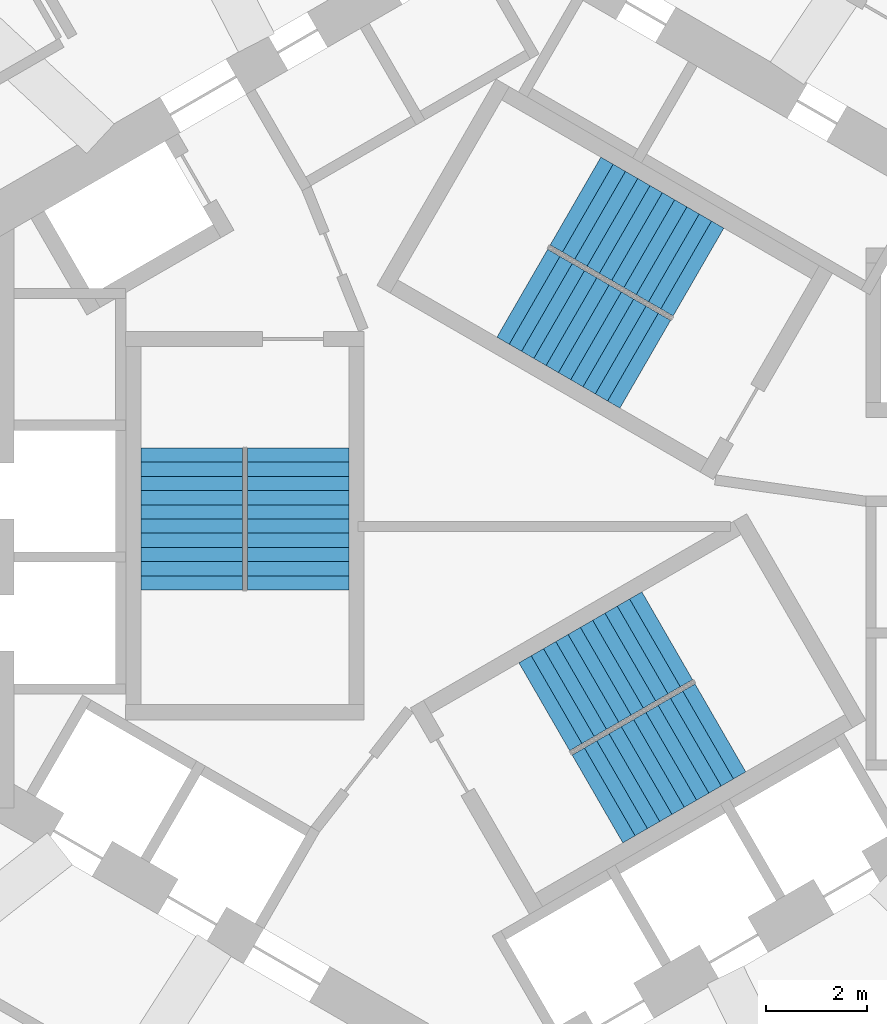
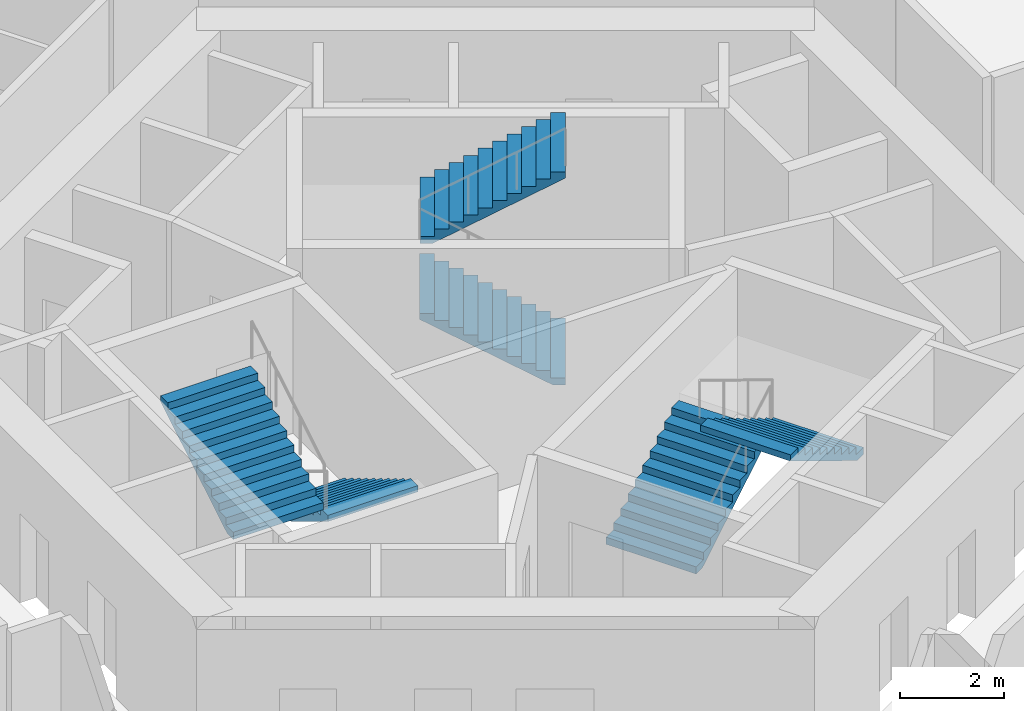
# One storey, part 9 of 11: 6 stair flights, 3 elements without a shape of their own.
"""IFC4 building model written with IfcOpenShell, lengths in metres."""

from ifc_helpers import new_model, si_unit, direction, frame, origin, place, context, subcontext, project, spatial, triangles, source, transform, mapped, material, type_object, element, aggregate, save


model = new_model("IFC4")

# Units and contexts
model_context = context("Model", 3, precision=1e-05, world=origin(), true_north=direction((0.0, 1.0)))
body_context = subcontext(model_context, "Body", "Model", "MODEL_VIEW")
ifc_project = project(units=[si_unit("LENGTHUNIT", "METRE"), si_unit("AREAUNIT", "SQUARE_METRE"), si_unit("VOLUMEUNIT", "CUBIC_METRE"), si_unit("PLANEANGLEUNIT", "RADIAN"), si_unit("MASSUNIT", "GRAM", prefix="KILO")], contexts=[model_context])

# Site, building, storey
site_placement = place(None, origin())
site = spatial("IfcSite", under=ifc_project, at=site_placement, CompositionType="ELEMENT")
building_placement = place(site_placement, origin())
building = spatial("IfcBuilding", under=site, at=building_placement, Name="Vanh Sen Convention Tower", CompositionType="ELEMENT")
storey_placement = place(building_placement, frame((0.0, 0.0, 247.60009765625)))
storey = spatial("IfcBuildingStorey", under=building, at=storey_placement, Name="L61", CompositionType="ELEMENT", Elevation=247.60009765625)

# Stair, stair flights
ifc_material_1 = material(Name="Concrete C50/60", Category="concrete")
stair_type_1 = type_object("IfcStairType", Name="Exit stair ST1 22 risers at 168.2", PredefinedType="HALF_TURN_STAIR", material=ifc_material_1)
stair_1_placement = place(storey_placement, origin())
stair_1 = element("IfcStair", 1, at=stair_1_placement, inside=storey, type_object=stair_type_1, Name="Exit stair ST1 L61", PredefinedType="HALF_TURN_STAIR")
ifc_material_2 = material(Name="Concrete C40/50", Category="concrete")
stair_flight_type = type_object("IfcStairFlightType", Name="Stair flight 2000", PredefinedType="STRAIGHT", material=ifc_material_2)
shared_shape = source(origin(), body_context, "Body", "Tessellation", [
    triangles([(0.24267578125, 1.0, 0.0), (0.0, 1.0, 0.0), (0.0, 1.0, 0.168212890625), (0.280029296875, 1.0, 0.168212890625), (0.280029296875, 1.0, 0.33642578125), (0.56005859375, 1.0, 0.33642578125), (0.56005859375, 1.0, 0.504638671875), (0.840087890625, 1.0, 0.504638671875), (0.840087890625, 1.0, 0.672607421875), (1.1201171875, 1.0, 0.672607421875), (1.1201171875, 1.0, 0.8408203125), (1.39990234375, 1.0, 0.8408203125), (1.39990234375, 1.0, 1.009033203125), (1.679931640625, 1.0, 1.009033203125), (1.679931640625, 1.0, 1.17724609375), (1.9599609375, 1.0, 1.17724609375), (1.9599609375, 1.0, 1.345458984375), (2.239990234375, 1.0, 1.345458984375), (2.239990234375, 1.0, 1.513671875), (2.52001953125, 1.0, 1.513671875), (2.52001953125, 1.0, 1.681884765625), (2.800048828125, 1.0, 1.681884765625), (2.800048828125, 1.0, 1.535888671875), (0.24267578125, -1.0, 0.0), (0.0, -1.0, 0.0), (0.0, -1.0, 0.168212890625), (0.280029296875, -1.0, 0.168212890625), (0.280029296875, -1.0, 0.33642578125), (0.56005859375, -1.0, 0.33642578125), (0.56005859375, -1.0, 0.504638671875), (0.840087890625, -1.0, 0.504638671875), (0.840087890625, -1.0, 0.672607421875), (1.1201171875, -1.0, 0.672607421875), (1.1201171875, -1.0, 0.8408203125), (1.39990234375, -1.0, 0.8408203125), (1.39990234375, -1.0, 1.009033203125), (1.679931640625, -1.0, 1.009033203125), (1.679931640625, -1.0, 1.17724609375), (1.9599609375, -1.0, 1.17724609375), (1.9599609375, -1.0, 1.345458984375), (2.239990234375, -1.0, 1.345458984375), (2.239990234375, -1.0, 1.513671875), (2.52001953125, -1.0, 1.513671875), (2.52001953125, -1.0, 1.681884765625), (2.800048828125, -1.0, 1.681884765625), (2.800048828125, -1.0, 1.535888671875), (0.0, 0.0400390625, 0.0), (0.0, 0.0390625, 0.0), (0.0, 0.0380859375, 0.0), (0.0, 0.037109375, 0.0), (0.0, 0.035888671875, 0.0), (0.0, 0.034912109375, 0.0), (0.0, 0.033935546875, 0.0), (0.0, 0.032958984375, 0.0), (0.0, 0.031982421875, 0.0), (0.0, 0.031005859375, 0.0), (0.0, 0.030029296875, 0.0), (0.0, 0.029052734375, 0.0), (0.0, 0.028076171875, 0.0), (0.0, 0.027099609375, 0.0), (0.0, 0.02587890625, 0.0), (0.0, 0.02490234375, 0.0), (0.0, 0.02392578125, 0.0), (0.0, 0.02294921875, 0.0), (0.0, 0.02197265625, 0.0), (0.0, 0.02099609375, 0.0), (0.0, 0.02001953125, 0.0), (0.0, 0.01904296875, 0.0), (0.0, 0.01806640625, 0.0), (0.0, 0.01708984375, 0.0), (0.0, 0.01611328125, 0.0), (0.0, 0.014892578125, 0.0), (0.0, 0.013916015625, 0.0), (0.0, 0.012939453125, 0.0), (0.0, 0.011962890625, 0.0), (0.0, 0.010986328125, 0.0), (0.0, 0.010009765625, 0.0), (0.0, 0.009033203125, 0.0), (0.0, 0.008056640625, 0.0), (0.0, 0.007080078125, 0.0), (0.0, 0.006103515625, 0.0), (0.0, 0.0048828125, 0.0), (0.0, 0.00390625, 0.0), (0.0, 0.0029296875, 0.0), (0.0, 0.001953125, 0.0), (0.0, 0.0009765625, 0.0), (0.0, 0.0, 0.0), (0.0, -0.0009765625, 0.0), (0.0, -0.001953125, 0.0), (0.0, -0.0029296875, 0.0), (0.0, -0.00390625, 0.0), (0.0, -0.0048828125, 0.0), (0.0, -0.006103515625, 0.0), (0.0, -0.007080078125, 0.0), (0.0, -0.008056640625, 0.0), (0.0, -0.009033203125, 0.0), (0.0, -0.010009765625, 0.0), (0.0, -0.010986328125, 0.0), (0.0, -0.011962890625, 0.0), (0.0, -0.012939453125, 0.0), (0.0, -0.013916015625, 0.0), (0.0, -0.014892578125, 0.0), (0.0, -0.01611328125, 0.0), (0.0, -0.01708984375, 0.0), (0.0, -0.01806640625, 0.0), (0.0, -0.01904296875, 0.0), (0.0, -0.02001953125, 0.0), (0.0, -0.02099609375, 0.0), (0.0, -0.02197265625, 0.0), (0.0, -0.02294921875, 0.0), (0.0, -0.02392578125, 0.0), (0.0, -0.02490234375, 0.0), (0.0, -0.02587890625, 0.0), (0.0, -0.027099609375, 0.0), (0.0, -0.028076171875, 0.0), (0.0, -0.029052734375, 0.0), (0.0, -0.030029296875, 0.0), (0.0, -0.031005859375, 0.0), (0.0, -0.031982421875, 0.0), (0.0, -0.032958984375, 0.0), (0.0, -0.033935546875, 0.0), (0.0, -0.034912109375, 0.0), (0.0, -0.035888671875, 0.0), (0.0, -0.037109375, 0.0), (0.0, -0.0380859375, 0.0), (0.0, -0.0390625, 0.0), (0.0, -0.0400390625, 0.0), (0.0, 0.0400390625, 0.168212890625), (0.0, 0.0390625, 0.168212890625), (0.0, 0.0380859375, 0.168212890625), (0.0, 0.037109375, 0.168212890625), (0.0, 0.035888671875, 0.168212890625), (0.0, 0.034912109375, 0.168212890625), (0.0, 0.033935546875, 0.168212890625), (0.0, 0.032958984375, 0.168212890625), (0.0, 0.031982421875, 0.168212890625), (0.0, 0.031005859375, 0.168212890625), (0.0, 0.030029296875, 0.168212890625), (0.0, 0.029052734375, 0.168212890625), (0.0, 0.028076171875, 0.168212890625), (0.0, 0.027099609375, 0.168212890625), (0.0, 0.02587890625, 0.168212890625), (0.0, 0.02490234375, 0.168212890625), (0.0, 0.02392578125, 0.168212890625), (0.0, 0.02294921875, 0.168212890625), (0.0, 0.02197265625, 0.168212890625), (0.0, 0.02099609375, 0.168212890625), (0.0, 0.02001953125, 0.168212890625), (0.0, 0.01904296875, 0.168212890625), (0.0, 0.01806640625, 0.168212890625), (0.0, 0.01708984375, 0.168212890625), (0.0, 0.01611328125, 0.168212890625), (0.0, 0.014892578125, 0.168212890625), (0.0, 0.013916015625, 0.168212890625), (0.0, 0.012939453125, 0.168212890625), (0.0, 0.011962890625, 0.168212890625), (0.0, 0.010986328125, 0.168212890625), (0.0, 0.010009765625, 0.168212890625), (0.0, 0.009033203125, 0.168212890625), (0.0, 0.008056640625, 0.168212890625), (0.0, 0.007080078125, 0.168212890625), (0.0, 0.006103515625, 0.168212890625), (0.0, 0.0048828125, 0.168212890625), (0.0, 0.00390625, 0.168212890625), (0.0, 0.0029296875, 0.168212890625), (0.0, 0.001953125, 0.168212890625), (0.0, 0.0009765625, 0.168212890625), (0.0, 0.0, 0.168212890625), (0.0, -0.0009765625, 0.168212890625), (0.0, -0.001953125, 0.168212890625), (0.0, -0.0029296875, 0.168212890625), (0.0, -0.00390625, 0.168212890625), (0.0, -0.0048828125, 0.168212890625), (0.0, -0.006103515625, 0.168212890625), (0.0, -0.007080078125, 0.168212890625), (0.0, -0.008056640625, 0.168212890625), (0.0, -0.009033203125, 0.168212890625), (0.0, -0.010009765625, 0.168212890625), (0.0, -0.010986328125, 0.168212890625), (0.0, -0.011962890625, 0.168212890625), (0.0, -0.012939453125, 0.168212890625), (0.0, -0.013916015625, 0.168212890625), (0.0, -0.014892578125, 0.168212890625), (0.0, -0.01611328125, 0.168212890625), (0.0, -0.01708984375, 0.168212890625), (0.0, -0.01806640625, 0.168212890625), (0.0, -0.01904296875, 0.168212890625), (0.0, -0.02001953125, 0.168212890625), (0.0, -0.02099609375, 0.168212890625), (0.0, -0.02197265625, 0.168212890625), (0.0, -0.02294921875, 0.168212890625), (0.0, -0.02392578125, 0.168212890625), (0.0, -0.02490234375, 0.168212890625), (0.0, -0.02587890625, 0.168212890625), (0.0, -0.027099609375, 0.168212890625), (0.0, -0.028076171875, 0.168212890625), (0.0, -0.029052734375, 0.168212890625), (0.0, -0.030029296875, 0.168212890625), (0.0, -0.031005859375, 0.168212890625), (0.0, -0.031982421875, 0.168212890625), (0.0, -0.032958984375, 0.168212890625), (0.0, -0.033935546875, 0.168212890625), (0.0, -0.034912109375, 0.168212890625), (0.0, -0.035888671875, 0.168212890625), (0.0, -0.037109375, 0.168212890625), (0.0, -0.0380859375, 0.168212890625), (0.0, -0.0390625, 0.168212890625), (0.0, -0.0400390625, 0.168212890625), (0.280029296875, 0.0, 0.168212890625), (0.280029296875, 0.0, 0.33642578125), (0.56005859375, 0.0, 0.33642578125), (0.56005859375, 0.0, 0.504638671875), (0.840087890625, 0.0, 0.504638671875), (0.840087890625, 0.0, 0.672607421875), (1.1201171875, 0.0, 0.672607421875), (1.1201171875, 0.0, 0.8408203125), (1.39990234375, 0.0, 0.8408203125), (1.39990234375, 0.0, 1.009033203125), (1.679931640625, 0.0, 1.009033203125), (1.679931640625, 0.0, 1.17724609375), (1.9599609375, 0.0, 1.17724609375), (1.9599609375, 0.0, 1.345458984375), (2.239990234375, 0.0, 1.345458984375), (2.239990234375, 0.0, 1.513671875), (2.52001953125, 0.0, 1.513671875), (2.52001953125, 0.0, 1.681884765625), (2.800048828125, 0.0400390625, 1.681884765625), (2.800048828125, 0.0390625, 1.681884765625), (2.800048828125, 0.0380859375, 1.681884765625), (2.800048828125, 0.037109375, 1.681884765625), (2.800048828125, 0.035888671875, 1.681884765625), (2.800048828125, 0.034912109375, 1.681884765625), (2.800048828125, 0.033935546875, 1.681884765625), (2.800048828125, 0.032958984375, 1.681884765625), (2.800048828125, 0.031982421875, 1.681884765625), (2.800048828125, 0.031005859375, 1.681884765625), (2.800048828125, 0.030029296875, 1.681884765625), (2.800048828125, 0.029052734375, 1.681884765625), (2.800048828125, 0.028076171875, 1.681884765625), (2.800048828125, 0.027099609375, 1.681884765625), (2.800048828125, 0.02587890625, 1.681884765625), (2.800048828125, 0.02490234375, 1.681884765625), (2.800048828125, 0.02392578125, 1.681884765625), (2.800048828125, 0.02294921875, 1.681884765625), (2.800048828125, 0.02197265625, 1.681884765625), (2.800048828125, 0.02099609375, 1.681884765625), (2.800048828125, 0.02001953125, 1.681884765625), (2.800048828125, 0.01904296875, 1.681884765625), (2.800048828125, 0.01806640625, 1.681884765625), (2.800048828125, 0.01708984375, 1.681884765625), (2.800048828125, 0.01611328125, 1.681884765625), (2.800048828125, 0.014892578125, 1.681884765625), (2.800048828125, 0.013916015625, 1.681884765625), (2.800048828125, 0.012939453125, 1.681884765625), (2.800048828125, 0.011962890625, 1.681884765625), (2.800048828125, 0.010986328125, 1.681884765625), (2.800048828125, 0.010009765625, 1.681884765625), (2.800048828125, 0.009033203125, 1.681884765625), (2.800048828125, 0.008056640625, 1.681884765625), (2.800048828125, 0.007080078125, 1.681884765625), (2.800048828125, 0.006103515625, 1.681884765625), (2.800048828125, 0.0048828125, 1.681884765625), (2.800048828125, 0.00390625, 1.681884765625), (2.800048828125, 0.0029296875, 1.681884765625), (2.800048828125, 0.001953125, 1.681884765625), (2.800048828125, 0.0009765625, 1.681884765625), (2.800048828125, 0.0, 1.681884765625), (2.800048828125, -0.0009765625, 1.681884765625), (2.800048828125, -0.001953125, 1.681884765625), (2.800048828125, -0.0029296875, 1.681884765625), (2.800048828125, -0.00390625, 1.681884765625), (2.800048828125, -0.0048828125, 1.681884765625), (2.800048828125, -0.006103515625, 1.681884765625), (2.800048828125, -0.007080078125, 1.681884765625), (2.800048828125, -0.008056640625, 1.681884765625), (2.800048828125, -0.009033203125, 1.681884765625), (2.800048828125, -0.010009765625, 1.681884765625), (2.800048828125, -0.010986328125, 1.681884765625), (2.800048828125, -0.011962890625, 1.681884765625), (2.800048828125, -0.012939453125, 1.681884765625), (2.800048828125, -0.013916015625, 1.681884765625), (2.800048828125, -0.014892578125, 1.681884765625), (2.800048828125, -0.01611328125, 1.681884765625), (2.800048828125, -0.01708984375, 1.681884765625), (2.800048828125, -0.01806640625, 1.681884765625), (2.800048828125, -0.01904296875, 1.681884765625), (2.800048828125, -0.02001953125, 1.681884765625), (2.800048828125, -0.02099609375, 1.681884765625), (2.800048828125, -0.02197265625, 1.681884765625), (2.800048828125, -0.02294921875, 1.681884765625), (2.800048828125, -0.02392578125, 1.681884765625), (2.800048828125, -0.02490234375, 1.681884765625), (2.800048828125, -0.02587890625, 1.681884765625), (2.800048828125, -0.027099609375, 1.681884765625), (2.800048828125, -0.028076171875, 1.681884765625), (2.800048828125, -0.029052734375, 1.681884765625), (2.800048828125, -0.030029296875, 1.681884765625), (2.800048828125, -0.031005859375, 1.681884765625), (2.800048828125, -0.031982421875, 1.681884765625), (2.800048828125, -0.032958984375, 1.681884765625), (2.800048828125, -0.033935546875, 1.681884765625), (2.800048828125, -0.034912109375, 1.681884765625), (2.800048828125, -0.035888671875, 1.681884765625), (2.800048828125, -0.037109375, 1.681884765625), (2.800048828125, -0.0380859375, 1.681884765625), (2.800048828125, -0.0390625, 1.681884765625), (2.800048828125, -0.0400390625, 1.681884765625), (2.800048828125, 0.0400390625, 1.535888671875), (2.800048828125, 0.0390625, 1.535888671875), (2.800048828125, 0.0380859375, 1.535888671875), (2.800048828125, 0.037109375, 1.535888671875), (2.800048828125, 0.035888671875, 1.535888671875), (2.800048828125, 0.034912109375, 1.535888671875), (2.800048828125, 0.033935546875, 1.535888671875), (2.800048828125, 0.032958984375, 1.535888671875), (2.800048828125, 0.031982421875, 1.535888671875), (2.800048828125, 0.031005859375, 1.535888671875), (2.800048828125, 0.030029296875, 1.535888671875), (2.800048828125, 0.029052734375, 1.535888671875), (2.800048828125, 0.028076171875, 1.535888671875), (2.800048828125, 0.027099609375, 1.535888671875), (2.800048828125, 0.02587890625, 1.535888671875), (2.800048828125, 0.02490234375, 1.535888671875), (2.800048828125, 0.02392578125, 1.535888671875), (2.800048828125, 0.02294921875, 1.535888671875), (2.800048828125, 0.02197265625, 1.535888671875), (2.800048828125, 0.02099609375, 1.535888671875), (2.800048828125, 0.02001953125, 1.535888671875), (2.800048828125, 0.01904296875, 1.535888671875), (2.800048828125, 0.01806640625, 1.535888671875), (2.800048828125, 0.01708984375, 1.535888671875), (2.800048828125, 0.01611328125, 1.535888671875), (2.800048828125, 0.014892578125, 1.535888671875), (2.800048828125, 0.013916015625, 1.535888671875), (2.800048828125, 0.012939453125, 1.535888671875), (2.800048828125, 0.011962890625, 1.535888671875), (2.800048828125, 0.010986328125, 1.535888671875), (2.800048828125, 0.010009765625, 1.535888671875), (2.800048828125, 0.009033203125, 1.535888671875), (2.800048828125, 0.008056640625, 1.535888671875), (2.800048828125, 0.007080078125, 1.535888671875), (2.800048828125, 0.006103515625, 1.535888671875), (2.800048828125, 0.0048828125, 1.535888671875), (2.800048828125, 0.00390625, 1.535888671875), (2.800048828125, 0.0029296875, 1.535888671875), (2.800048828125, 0.001953125, 1.535888671875), (2.800048828125, 0.0009765625, 1.535888671875), (2.800048828125, 0.0, 1.535888671875), (2.800048828125, -0.0009765625, 1.535888671875), (2.800048828125, -0.001953125, 1.535888671875), (2.800048828125, -0.0029296875, 1.535888671875), (2.800048828125, -0.00390625, 1.535888671875), (2.800048828125, -0.0048828125, 1.535888671875), (2.800048828125, -0.006103515625, 1.535888671875), (2.800048828125, -0.007080078125, 1.535888671875), (2.800048828125, -0.008056640625, 1.535888671875), (2.800048828125, -0.009033203125, 1.535888671875), (2.800048828125, -0.010009765625, 1.535888671875), (2.800048828125, -0.010986328125, 1.535888671875), (2.800048828125, -0.011962890625, 1.535888671875), (2.800048828125, -0.012939453125, 1.535888671875), (2.800048828125, -0.013916015625, 1.535888671875), (2.800048828125, -0.014892578125, 1.535888671875), (2.800048828125, -0.01611328125, 1.535888671875), (2.800048828125, -0.01708984375, 1.535888671875), (2.800048828125, -0.01806640625, 1.535888671875), (2.800048828125, -0.01904296875, 1.535888671875), (2.800048828125, -0.02001953125, 1.535888671875), (2.800048828125, -0.02099609375, 1.535888671875), (2.800048828125, -0.02197265625, 1.535888671875), (2.800048828125, -0.02294921875, 1.535888671875), (2.800048828125, -0.02392578125, 1.535888671875), (2.800048828125, -0.02490234375, 1.535888671875), (2.800048828125, -0.02587890625, 1.535888671875), (2.800048828125, -0.027099609375, 1.535888671875), (2.800048828125, -0.028076171875, 1.535888671875), (2.800048828125, -0.029052734375, 1.535888671875), (2.800048828125, -0.030029296875, 1.535888671875), (2.800048828125, -0.031005859375, 1.535888671875), (2.800048828125, -0.031982421875, 1.535888671875), (2.800048828125, -0.032958984375, 1.535888671875), (2.800048828125, -0.033935546875, 1.535888671875), (2.800048828125, -0.034912109375, 1.535888671875), (2.800048828125, -0.035888671875, 1.535888671875), (2.800048828125, -0.037109375, 1.535888671875), (2.800048828125, -0.0380859375, 1.535888671875), (2.800048828125, -0.0390625, 1.535888671875), (2.800048828125, -0.0400390625, 1.535888671875), (0.24267578125, 0.0, 0.0)], [[1, 2, 3], [1, 3, 4], [4, 5, 6], [1, 4, 6], [6, 7, 8], [1, 6, 8], [8, 9, 10], [1, 8, 10], [10, 11, 12], [1, 10, 12], [12, 13, 14], [1, 12, 14], [14, 15, 16], [1, 14, 16], [16, 17, 18], [1, 16, 18], [18, 19, 20], [1, 18, 20], [20, 21, 22], [1, 20, 22], [22, 23, 1], [24, 26, 25], [24, 27, 26], [27, 29, 28], [24, 29, 27], [29, 31, 30], [24, 31, 29], [31, 33, 32], [24, 33, 31], [33, 35, 34], [24, 35, 33], [35, 37, 36], [24, 37, 35], [37, 39, 38], [24, 39, 37], [39, 41, 40], [24, 41, 39], [41, 43, 42], [24, 43, 41], [43, 45, 44], [24, 45, 43], [45, 24, 46], [2, 128, 3], [2, 47, 128], [47, 129, 128], [47, 48, 129], [48, 130, 129], [48, 49, 130], [49, 131, 130], [49, 50, 131], [50, 132, 131], [50, 51, 132], [51, 133, 132], [51, 52, 133], [52, 134, 133], [52, 53, 134], [53, 135, 134], [53, 54, 135], [54, 136, 135], [54, 55, 136], [55, 137, 136], [55, 56, 137], [56, 138, 137], [56, 57, 138], [57, 139, 138], [57, 58, 139], [58, 140, 139], [58, 59, 140], [59, 141, 140], [59, 60, 141], [60, 142, 141], [60, 61, 142], [61, 143, 142], [61, 62, 143], [62, 144, 143], [62, 63, 144], [63, 145, 144], [63, 64, 145], [64, 146, 145], [64, 65, 146], [65, 147, 146], [65, 66, 147], [66, 148, 147], [66, 67, 148], [67, 149, 148], [67, 68, 149], [68, 150, 149], [68, 69, 150], [69, 151, 150], [69, 70, 151], [70, 152, 151], [70, 71, 152], [71, 153, 152], [71, 72, 153], [72, 154, 153], [72, 73, 154], [73, 155, 154], [73, 74, 155], [74, 156, 155], [74, 75, 156], [75, 157, 156], [75, 76, 157], [76, 158, 157], [76, 77, 158], [77, 159, 158], [77, 78, 159], [78, 160, 159], [78, 79, 160], [79, 161, 160], [79, 80, 161], [80, 162, 161], [80, 81, 162], [81, 163, 162], [81, 82, 163], [82, 164, 163], [82, 83, 164], [83, 165, 164], [83, 84, 165], [84, 166, 165], [84, 85, 166], [85, 167, 166], [85, 86, 167], [86, 168, 167], [86, 87, 168], [87, 88, 168], [168, 88, 169], [88, 89, 169], [169, 89, 170], [89, 90, 170], [170, 90, 171], [90, 91, 171], [171, 91, 172], [91, 92, 172], [172, 92, 173], [92, 93, 173], [173, 93, 174], [93, 94, 174], [174, 94, 175], [94, 95, 175], [175, 95, 176], [95, 96, 176], [176, 96, 177], [96, 97, 177], [177, 97, 178], [97, 98, 178], [178, 98, 179], [98, 99, 179], [179, 99, 180], [99, 100, 180], [180, 100, 181], [100, 101, 181], [181, 101, 182], [101, 102, 182], [182, 102, 183], [102, 103, 183], [183, 103, 184], [103, 104, 184], [184, 104, 185], [104, 105, 185], [185, 105, 186], [105, 106, 186], [186, 106, 187], [106, 107, 187], [187, 107, 188], [107, 108, 188], [188, 108, 189], [108, 109, 189], [189, 109, 190], [109, 110, 190], [190, 110, 191], [110, 111, 191], [191, 111, 192], [111, 112, 192], [192, 112, 193], [112, 113, 193], [193, 113, 194], [113, 114, 194], [194, 114, 195], [114, 115, 195], [195, 115, 196], [115, 116, 196], [196, 116, 197], [116, 117, 197], [197, 117, 198], [117, 118, 198], [198, 118, 199], [118, 119, 199], [199, 119, 200], [119, 120, 200], [200, 120, 201], [120, 121, 201], [201, 121, 202], [121, 122, 202], [202, 122, 203], [122, 123, 203], [203, 123, 204], [123, 124, 204], [204, 124, 205], [124, 125, 205], [205, 125, 206], [125, 126, 206], [206, 126, 207], [126, 127, 207], [207, 127, 208], [127, 25, 208], [208, 25, 26], [4, 3, 128], [4, 128, 129], [4, 129, 130], [4, 130, 131], [4, 131, 132], [4, 132, 133], [4, 133, 134], [4, 134, 135], [4, 135, 136], [4, 136, 137], [4, 137, 138], [4, 138, 139], [4, 139, 140], [4, 140, 141], [4, 141, 142], [4, 142, 143], [4, 143, 144], [4, 144, 145], [4, 145, 146], [4, 146, 147], [4, 147, 148], [4, 148, 149], [4, 149, 150], [4, 150, 151], [4, 151, 152], [4, 152, 153], [4, 153, 154], [4, 154, 155], [4, 155, 156], [4, 156, 157], [4, 157, 158], [4, 158, 159], [4, 159, 160], [4, 160, 161], [4, 161, 162], [4, 162, 163], [4, 163, 164], [4, 164, 165], [4, 165, 166], [4, 166, 167], [4, 167, 168], [27, 168, 169], [27, 169, 170], [27, 170, 171], [27, 171, 172], [27, 172, 173], [27, 173, 174], [27, 174, 175], [27, 175, 176], [27, 176, 177], [27, 177, 178], [27, 178, 179], [27, 179, 180], [27, 180, 181], [27, 181, 182], [27, 182, 183], [27, 183, 184], [27, 184, 185], [27, 185, 186], [27, 186, 187], [27, 187, 188], [27, 188, 189], [27, 189, 190], [27, 190, 191], [27, 191, 192], [27, 192, 193], [27, 193, 194], [27, 194, 195], [27, 195, 196], [27, 196, 197], [27, 197, 198], [27, 198, 199], [27, 199, 200], [27, 200, 201], [27, 201, 202], [27, 202, 203], [27, 203, 204], [27, 204, 205], [27, 205, 206], [27, 206, 207], [27, 207, 208], [27, 208, 26], [4, 168, 209], [27, 209, 168], [4, 210, 5], [4, 209, 210], [209, 27, 210], [210, 27, 28], [5, 211, 6], [5, 210, 211], [210, 28, 211], [211, 28, 29], [6, 212, 7], [6, 211, 212], [211, 29, 212], [212, 29, 30], [7, 213, 8], [7, 212, 213], [212, 30, 213], [213, 30, 31], [8, 214, 9], [8, 213, 214], [213, 31, 214], [214, 31, 32], [9, 215, 10], [9, 214, 215], [214, 32, 215], [215, 32, 33], [10, 216, 11], [10, 215, 216], [215, 33, 216], [216, 33, 34], [11, 217, 12], [11, 216, 217], [216, 34, 217], [217, 34, 35], [12, 218, 13], [12, 217, 218], [217, 35, 218], [218, 35, 36], [13, 219, 14], [13, 218, 219], [218, 36, 219], [219, 36, 37], [14, 220, 15], [14, 219, 220], [219, 37, 220], [220, 37, 38], [15, 221, 16], [15, 220, 221], [220, 38, 221], [221, 38, 39], [16, 222, 17], [16, 221, 222], [221, 39, 222], [222, 39, 40], [17, 223, 18], [17, 222, 223], [222, 40, 223], [223, 40, 41], [18, 224, 19], [18, 223, 224], [223, 41, 224], [224, 41, 42], [19, 225, 20], [19, 224, 225], [224, 42, 225], [225, 42, 43], [20, 226, 21], [20, 225, 226], [225, 43, 226], [226, 43, 44], [21, 227, 22], [21, 228, 227], [21, 229, 228], [21, 230, 229], [21, 231, 230], [21, 232, 231], [21, 233, 232], [21, 234, 233], [21, 235, 234], [21, 236, 235], [21, 237, 236], [21, 238, 237], [21, 239, 238], [21, 240, 239], [21, 241, 240], [21, 242, 241], [21, 243, 242], [21, 244, 243], [21, 245, 244], [21, 246, 245], [21, 247, 246], [21, 248, 247], [21, 249, 248], [21, 250, 249], [21, 251, 250], [21, 252, 251], [21, 253, 252], [21, 254, 253], [21, 255, 254], [21, 256, 255], [21, 257, 256], [21, 258, 257], [21, 259, 258], [21, 260, 259], [21, 261, 260], [21, 262, 261], [21, 263, 262], [21, 264, 263], [21, 265, 264], [21, 266, 265], [21, 267, 266], [44, 268, 267], [44, 269, 268], [44, 270, 269], [44, 271, 270], [44, 272, 271], [44, 273, 272], [44, 274, 273], [44, 275, 274], [44, 276, 275], [44, 277, 276], [44, 278, 277], [44, 279, 278], [44, 280, 279], [44, 281, 280], [44, 282, 281], [44, 283, 282], [44, 284, 283], [44, 285, 284], [44, 286, 285], [44, 287, 286], [44, 288, 287], [44, 289, 288], [44, 290, 289], [44, 291, 290], [44, 292, 291], [44, 293, 292], [44, 294, 293], [44, 295, 294], [44, 296, 295], [44, 297, 296], [44, 298, 297], [44, 299, 298], [44, 300, 299], [44, 301, 300], [44, 302, 301], [44, 303, 302], [44, 304, 303], [44, 305, 304], [44, 306, 305], [44, 307, 306], [44, 45, 307], [21, 226, 267], [44, 267, 226], [22, 308, 23], [22, 227, 308], [227, 309, 308], [227, 228, 309], [228, 310, 309], [228, 229, 310], [229, 311, 310], [229, 230, 311], [230, 312, 311], [230, 231, 312], [231, 313, 312], [231, 232, 313], [232, 314, 313], [232, 233, 314], [233, 315, 314], [233, 234, 315], [234, 316, 315], [234, 235, 316], [235, 317, 316], [235, 236, 317], [236, 318, 317], [236, 237, 318], [237, 319, 318], [237, 238, 319], [238, 320, 319], [238, 239, 320], [239, 321, 320], [239, 240, 321], [240, 322, 321], [240, 241, 322], [241, 323, 322], [241, 242, 323], [242, 324, 323], [242, 243, 324], [243, 325, 324], [243, 244, 325], [244, 326, 325], [244, 245, 326], [245, 327, 326], [245, 246, 327], [246, 328, 327], [246, 247, 328], [247, 329, 328], [247, 248, 329], [248, 330, 329], [248, 249, 330], [249, 331, 330], [249, 250, 331], [250, 332, 331], [250, 251, 332], [251, 333, 332], [251, 252, 333], [252, 334, 333], [252, 253, 334], [253, 335, 334], [253, 254, 335], [254, 336, 335], [254, 255, 336], [255, 337, 336], [255, 256, 337], [256, 338, 337], [256, 257, 338], [257, 339, 338], [257, 258, 339], [258, 340, 339], [258, 259, 340], [259, 341, 340], [259, 260, 341], [260, 342, 341], [260, 261, 342], [261, 343, 342], [261, 262, 343], [262, 344, 343], [262, 263, 344], [263, 345, 344], [263, 264, 345], [264, 346, 345], [264, 265, 346], [265, 347, 346], [265, 266, 347], [266, 348, 347], [266, 267, 348], [267, 268, 348], [348, 268, 349], [268, 269, 349], [349, 269, 350], [269, 270, 350], [350, 270, 351], [270, 271, 351], [351, 271, 352], [271, 272, 352], [352, 272, 353], [272, 273, 353], [353, 273, 354], [273, 274, 354], [354, 274, 355], [274, 275, 355], [355, 275, 356], [275, 276, 356], [356, 276, 357], [276, 277, 357], [357, 277, 358], [277, 278, 358], [358, 278, 359], [278, 279, 359], [359, 279, 360], [279, 280, 360], [360, 280, 361], [280, 281, 361], [361, 281, 362], [281, 282, 362], [362, 282, 363], [282, 283, 363], [363, 283, 364], [283, 284, 364], [364, 284, 365], [284, 285, 365], [365, 285, 366], [285, 286, 366], [366, 286, 367], [286, 287, 367], [367, 287, 368], [287, 288, 368], [368, 288, 369], [288, 289, 369], [369, 289, 370], [289, 290, 370], [370, 290, 371], [290, 291, 371], [371, 291, 372], [291, 292, 372], [372, 292, 373], [292, 293, 373], [373, 293, 374], [293, 294, 374], [374, 294, 375], [294, 295, 375], [375, 295, 376], [295, 296, 376], [376, 296, 377], [296, 297, 377], [377, 297, 378], [297, 298, 378], [378, 298, 379], [298, 299, 379], [379, 299, 380], [299, 300, 380], [380, 300, 381], [300, 301, 381], [381, 301, 382], [301, 302, 382], [382, 302, 383], [302, 303, 383], [383, 303, 384], [303, 304, 384], [384, 304, 385], [304, 305, 385], [385, 305, 386], [305, 306, 386], [386, 306, 387], [306, 307, 387], [387, 307, 388], [307, 45, 388], [388, 45, 46], [1, 23, 308], [1, 308, 309], [1, 309, 310], [1, 310, 311], [1, 311, 312], [1, 312, 313], [1, 313, 314], [1, 314, 315], [1, 315, 316], [1, 316, 317], [1, 317, 318], [1, 318, 319], [1, 319, 320], [1, 320, 321], [1, 321, 322], [1, 322, 323], [1, 323, 324], [1, 324, 325], [1, 325, 326], [1, 326, 327], [1, 327, 328], [1, 328, 329], [1, 329, 330], [1, 330, 331], [1, 331, 332], [1, 332, 333], [1, 333, 334], [1, 334, 335], [1, 335, 336], [1, 336, 337], [1, 337, 338], [1, 338, 339], [1, 339, 340], [1, 340, 341], [1, 341, 342], [1, 342, 343], [1, 343, 344], [1, 344, 345], [1, 345, 346], [1, 346, 347], [1, 347, 348], [24, 348, 349], [24, 349, 350], [24, 350, 351], [24, 351, 352], [24, 352, 353], [24, 353, 354], [24, 354, 355], [24, 355, 356], [24, 356, 357], [24, 357, 358], [24, 358, 359], [24, 359, 360], [24, 360, 361], [24, 361, 362], [24, 362, 363], [24, 363, 364], [24, 364, 365], [24, 365, 366], [24, 366, 367], [24, 367, 368], [24, 368, 369], [24, 369, 370], [24, 370, 371], [24, 371, 372], [24, 372, 373], [24, 373, 374], [24, 374, 375], [24, 375, 376], [24, 376, 377], [24, 377, 378], [24, 378, 379], [24, 379, 380], [24, 380, 381], [24, 381, 382], [24, 382, 383], [24, 383, 384], [24, 384, 385], [24, 385, 386], [24, 386, 387], [24, 387, 388], [24, 388, 46], [1, 348, 389], [24, 389, 348], [1, 47, 2], [1, 48, 47], [1, 49, 48], [1, 50, 49], [1, 51, 50], [1, 52, 51], [1, 53, 52], [1, 54, 53], [1, 55, 54], [1, 56, 55], [1, 57, 56], [1, 58, 57], [1, 59, 58], [1, 60, 59], [1, 61, 60], [1, 62, 61], [1, 63, 62], [1, 64, 63], [1, 65, 64], [1, 66, 65], [1, 67, 66], [1, 68, 67], [1, 69, 68], [1, 70, 69], [1, 71, 70], [1, 72, 71], [1, 73, 72], [1, 74, 73], [1, 75, 74], [1, 76, 75], [1, 77, 76], [1, 78, 77], [1, 79, 78], [1, 80, 79], [1, 81, 80], [1, 82, 81], [1, 83, 82], [1, 84, 83], [1, 85, 84], [1, 86, 85], [1, 87, 86], [24, 88, 87], [24, 89, 88], [24, 90, 89], [24, 91, 90], [24, 92, 91], [24, 93, 92], [24, 94, 93], [24, 95, 94], [24, 96, 95], [24, 97, 96], [24, 98, 97], [24, 99, 98], [24, 100, 99], [24, 101, 100], [24, 102, 101], [24, 103, 102], [24, 104, 103], [24, 105, 104], [24, 106, 105], [24, 107, 106], [24, 108, 107], [24, 109, 108], [24, 110, 109], [24, 111, 110], [24, 112, 111], [24, 113, 112], [24, 114, 113], [24, 115, 114], [24, 116, 115], [24, 117, 116], [24, 118, 117], [24, 119, 118], [24, 120, 119], [24, 121, 120], [24, 122, 121], [24, 123, 122], [24, 124, 123], [24, 125, 124], [24, 126, 125], [24, 127, 126], [24, 25, 127], [1, 389, 87], [24, 87, 389]], closed=True),
])
stair_flight_1_placement = place(storey_placement, frame((2.94580078125, 2.802490234375, 0.0), z_axis=(0.0, 0.0, 1.0), x_axis=(-0.866025403784, 0.5, 0.0)))
stair_flight_1 = element("IfcStairFlight", 2, at=stair_flight_1_placement, type_object=stair_flight_type, Name="ST1 flight 1", NumberOfRisers=11, NumberOfTreads=10, PredefinedType="STRAIGHT", RiserHeight=0.168181818, TreadLength=0.28, context=body_context, shape_type="MappedRepresentation", body=[
    mapped(shared_shape, transform((0.0, 0.0, 0.0))),
])
stair_flight_2_placement = place(storey_placement, frame((1.571044921875, 6.021240234375, 1.849853515625), z_axis=(0.0, 0.0, 1.0), x_axis=(0.866025403784, -0.5, 0.0)))
stair_flight_2 = element("IfcStairFlight", 3, at=stair_flight_2_placement, type_object=stair_flight_type, Name="ST1 flight 2", NumberOfRisers=11, NumberOfTreads=10, PredefinedType="STRAIGHT", RiserHeight=0.168181818, TreadLength=0.28, context=body_context, shape_type="MappedRepresentation", body=[
    mapped(shared_shape, transform((0.0, 0.0, 0.0))),
])
aggregate(stair_1, [stair_flight_1, stair_flight_2])

stair_type_2 = type_object("IfcStairType", Name="Exit stair ST2 22 risers at 168.2", PredefinedType="HALF_TURN_STAIR", material=ifc_material_1)
stair_2_placement = place(storey_placement, origin())
stair_2 = element("IfcStair", 4, at=stair_2_placement, inside=storey, type_object=stair_type_2, Name="Exit stair ST2 L61", PredefinedType="HALF_TURN_STAIR")
stair_flight_3_placement = place(storey_placement, frame((-3.89990234375, 1.14990234375, 0.0), z_axis=(0.0, 0.0, 1.0), x_axis=(0.0, -1.0, 0.0)))
stair_flight_3 = element("IfcStairFlight", 5, at=stair_flight_3_placement, type_object=stair_flight_type, Name="ST2 flight 1", NumberOfRisers=11, NumberOfTreads=10, PredefinedType="STRAIGHT", RiserHeight=0.168181818, TreadLength=0.28, context=body_context, shape_type="MappedRepresentation", body=[
    mapped(shared_shape, transform((0.0, 0.0, 0.0))),
])
stair_flight_4_placement = place(storey_placement, frame((-6.0, -1.64990234375, 1.849853515625), z_axis=(0.0, 0.0, 1.0), x_axis=(0.0, 1.0, 0.0)))
stair_flight_4 = element("IfcStairFlight", 6, at=stair_flight_4_placement, type_object=stair_flight_type, Name="ST2 flight 2", NumberOfRisers=11, NumberOfTreads=10, PredefinedType="STRAIGHT", RiserHeight=0.168181818, TreadLength=0.28, context=body_context, shape_type="MappedRepresentation", body=[
    mapped(shared_shape, transform((0.0, 0.0, 0.0))),
])
aggregate(stair_2, [stair_flight_3, stair_flight_4])

stair_type_3 = type_object("IfcStairType", Name="Exit stair ST3 22 risers at 168.2", PredefinedType="HALF_TURN_STAIR", material=ifc_material_1)
stair_3_placement = place(storey_placement, origin())
stair_3 = element("IfcStair", 7, at=stair_3_placement, inside=storey, type_object=stair_type_3, Name="Exit stair ST3 L61", PredefinedType="HALF_TURN_STAIR")
stair_flight_5_placement = place(storey_placement, frame((0.9541015625, -3.952392578125, 0.0), z_axis=(0.0, 0.0, 1.0), x_axis=(0.866025403784, 0.5, 0.0)))
stair_flight_5 = element("IfcStairFlight", 8, at=stair_flight_5_placement, type_object=stair_flight_type, Name="ST3 flight 1", NumberOfRisers=11, NumberOfTreads=10, PredefinedType="STRAIGHT", RiserHeight=0.168181818, TreadLength=0.28, context=body_context, shape_type="MappedRepresentation", body=[
    mapped(shared_shape, transform((0.0, 0.0, 0.0))),
])
stair_flight_6_placement = place(storey_placement, frame((4.428955078125, -4.37109375, 1.849853515625), z_axis=(0.0, 0.0, 1.0), x_axis=(-0.866025403784, -0.5, 0.0)))
stair_flight_6 = element("IfcStairFlight", 9, at=stair_flight_6_placement, type_object=stair_flight_type, Name="ST3 flight 2", NumberOfRisers=11, NumberOfTreads=10, PredefinedType="STRAIGHT", RiserHeight=0.168181818, TreadLength=0.28, context=body_context, shape_type="MappedRepresentation", body=[
    mapped(shared_shape, transform((0.0, 0.0, 0.0))),
])
aggregate(stair_3, [stair_flight_5, stair_flight_6])

save(model, "model.ifc")
